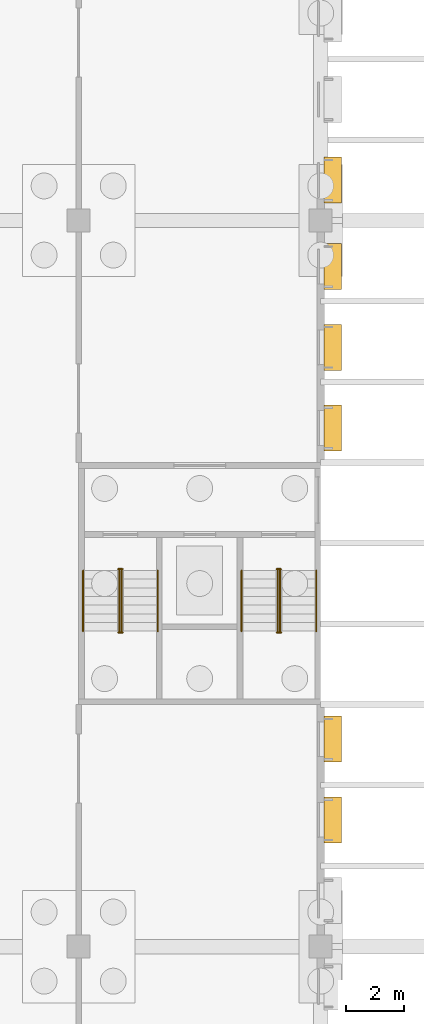
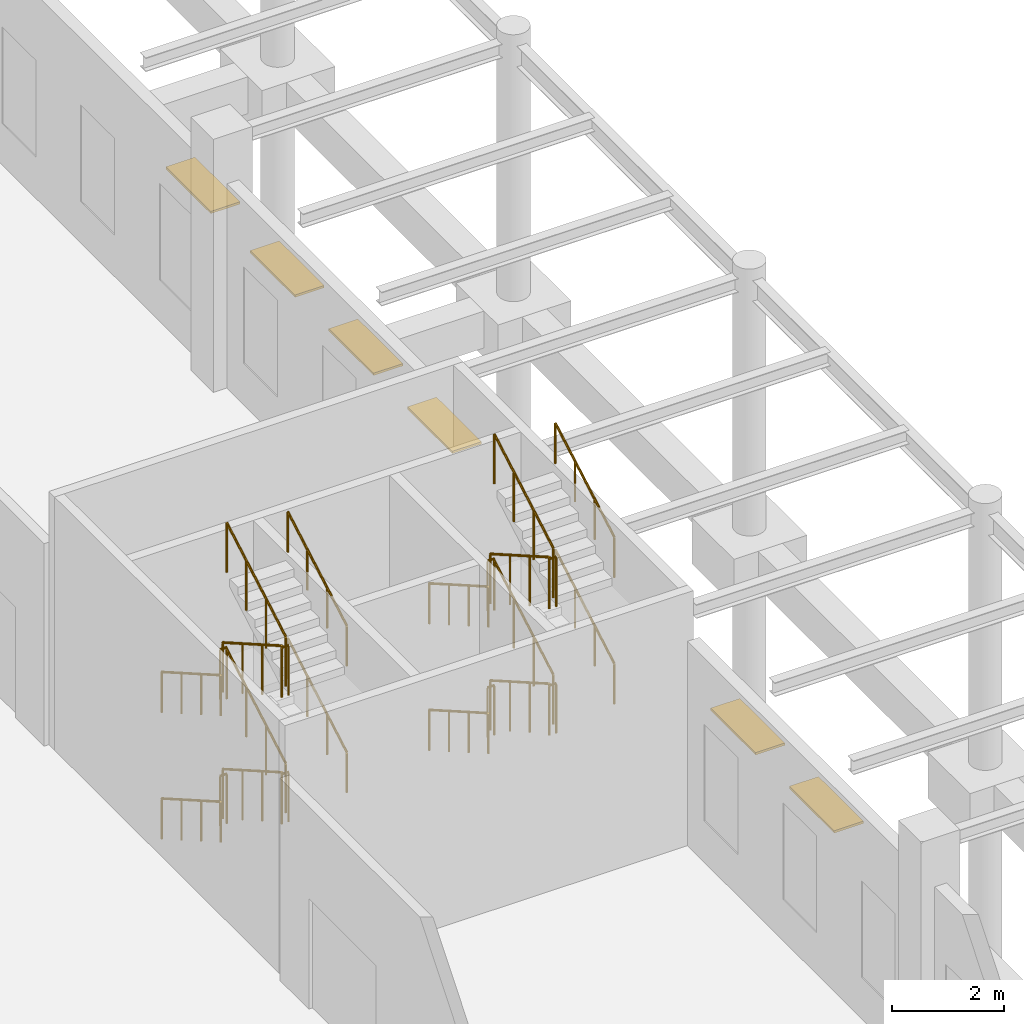
# One storey, part 79 of 82: 24 railings, 6 shading devices.
"""IFC4 building model written with IfcOpenShell, lengths in metres."""

from ifc_helpers import new_model, si_unit, direction, frame, origin, origin_2d, place, context, subcontext, project, spatial, rectangle, circle, extrude, material, material_profile, profile_set, type_object, element, save


model = new_model("IFC4")

# Units and contexts
model_context = context("Model", 3, precision=1e-05, world=origin(), true_north=direction((0.0, 1.0)))
body_context = subcontext(model_context, "Body", "Model", "MODEL_VIEW")
ifc_project = project(units=[si_unit("LENGTHUNIT", "METRE"), si_unit("AREAUNIT", "SQUARE_METRE"), si_unit("VOLUMEUNIT", "CUBIC_METRE"), si_unit("PLANEANGLEUNIT", "RADIAN"), si_unit("MASSUNIT", "GRAM", prefix="KILO")], contexts=[model_context])

# Site, building, storey
site_placement = place(None, origin())
site = spatial("IfcSite", under=ifc_project, at=site_placement, CompositionType="ELEMENT")
building_placement = place(site_placement, origin())
building = spatial("IfcBuilding", under=site, at=building_placement, Name="Almond Square Museum", CompositionType="ELEMENT")
storey_placement = place(building_placement, origin())
storey = spatial("IfcBuildingStorey", under=building, at=storey_placement, Name="L00", CompositionType="ELEMENT", Elevation=0.0)

# Railings
ifc_material_1 = material(Name="Stainless steel and laminated glass", Category="steel")
railing_type_1 = type_object("IfcRailingType", Name="Stair guard 1100 steel and glass", PredefinedType="GUARDRAIL", material=ifc_material_1)
railing_1_placement = place(storey_placement, frame((150.2099609375, 80.25, 0.171875)))
element("IfcRailing", 1, at=railing_1_placement, inside=storey, type_object=railing_type_1, Name="L00 ST-25 stair guard 1", PredefinedType="GUARDRAIL", context=body_context, shape_type="SweptSolid", body=[
    extrude(circle(Radius=0.02392578125, at=origin_2d()), frame((0.0, 0.0, 1.076171875), z_axis=(0.0, -0.867696358075, 0.497094588769), x_axis=(1.0, 0.0, 0.0)), (0.0, 0.0, 1.0), 2.42041015625),
    extrude(circle(Radius=0.02099609375, at=origin_2d()), origin(), (0.0, 0.0, 1.0), 1.052001953125),
    extrude(circle(Radius=0.02099609375, at=origin_2d()), frame((0.0, -0.699951171875, 0.401123046875)), (0.0, 0.0, 1.0), 1.052001953125),
    extrude(circle(Radius=0.02099609375, at=origin_2d()), frame((0.0, -1.400146484375, 0.802001953125)), (0.0, 0.0, 1.0), 1.052001953125),
    extrude(circle(Radius=0.02099609375, at=origin_2d()), frame((0.0, -2.10009765625, 1.203125)), (0.0, 0.0, 1.0), 1.052001953125),
])
railing_2_placement = place(storey_placement, frame((150.179931640625, 78.10009765625, 1.375)))
element("IfcRailing", 2, at=railing_2_placement, inside=storey, type_object=railing_type_1, Name="L00 ST-25 stair guard 2", PredefinedType="GUARDRAIL", context=body_context, shape_type="SweptSolid", body=[
    extrude(circle(Radius=0.02392578125, at=origin_2d()), frame((0.0, 0.0, 1.076171875), z_axis=(1.0, 0.0, 0.0), x_axis=(0.0, 1.0, 0.0)), (0.0, 0.0, 1.0), 0.14013671875),
    extrude(circle(Radius=0.02099609375, at=origin_2d()), origin(), (0.0, 0.0, 1.0), 1.052001953125),
    extrude(circle(Radius=0.02099609375, at=origin_2d()), frame((0.14013671875, 0.0, 0.0)), (0.0, 0.0, 1.0), 1.052001953125),
])
railing_3_placement = place(storey_placement, frame((150.2900390625, 78.14990234375, 1.546875)))
element("IfcRailing", 3, at=railing_3_placement, inside=storey, type_object=railing_type_1, Name="L00 ST-25 stair guard 3", PredefinedType="GUARDRAIL", context=body_context, shape_type="SweptSolid", body=[
    extrude(circle(Radius=0.02392578125, at=origin_2d()), frame((0.0, 0.0, 1.076171875), z_axis=(0.0, 0.867696358075, 0.497094588769), x_axis=(-1.0, 0.0, 0.0)), (0.0, 0.0, 1.0), 2.42041015625),
    extrude(circle(Radius=0.02099609375, at=origin_2d()), origin(), (0.0, 0.0, 1.0), 1.052001953125),
    extrude(circle(Radius=0.02099609375, at=origin_2d()), frame((0.0, 0.699951171875, 0.401123046875)), (0.0, 0.0, 1.0), 1.052001953125),
    extrude(circle(Radius=0.02099609375, at=origin_2d()), frame((0.0, 1.400146484375, 0.802001953125)), (0.0, 0.0, 1.0), 1.052001953125),
    extrude(circle(Radius=0.02099609375, at=origin_2d()), frame((0.0, 2.10009765625, 1.203125)), (0.0, 0.0, 1.0), 1.052001953125),
])
railing_4_placement = place(storey_placement, frame((150.179931640625, 80.300048828125, 2.75)))
element("IfcRailing", 4, at=railing_4_placement, inside=storey, type_object=railing_type_1, Name="L00 ST-25 stair guard 4", PredefinedType="GUARDRAIL", context=body_context, shape_type="SweptSolid", body=[
    extrude(circle(Radius=0.02392578125, at=origin_2d()), frame((0.0, 0.0, 1.076171875), z_axis=(1.0, 0.0, 0.0), x_axis=(0.0, 1.0, 0.0)), (0.0, 0.0, 1.0), 0.14013671875),
    extrude(circle(Radius=0.02099609375, at=origin_2d()), origin(), (0.0, 0.0, 1.0), 1.052001953125),
    extrude(circle(Radius=0.02099609375, at=origin_2d()), frame((0.14013671875, 0.0, 0.0)), (0.0, 0.0, 1.0), 1.052001953125),
])
railing_5_placement = place(storey_placement, frame((150.2099609375, 80.25, 2.921875)))
element("IfcRailing", 5, at=railing_5_placement, inside=storey, type_object=railing_type_1, Name="L00 ST-25 stair guard 5", PredefinedType="GUARDRAIL", context=body_context, shape_type="SweptSolid", body=[
    extrude(circle(Radius=0.02392578125, at=origin_2d()), frame((0.0, 0.0, 1.076171875), z_axis=(0.0, -0.867696358075, 0.497094588769), x_axis=(1.0, 0.0, 0.0)), (0.0, 0.0, 1.0), 2.42041015625),
    extrude(circle(Radius=0.02099609375, at=origin_2d()), origin(), (0.0, 0.0, 1.0), 1.052001953125),
    extrude(circle(Radius=0.02099609375, at=origin_2d()), frame((0.0, -0.699951171875, 0.401123046875)), (0.0, 0.0, 1.0), 1.052001953125),
    extrude(circle(Radius=0.02099609375, at=origin_2d()), frame((0.0, -1.400146484375, 0.802001953125)), (0.0, 0.0, 1.0), 1.052001953125),
    extrude(circle(Radius=0.02099609375, at=origin_2d()), frame((0.0, -2.10009765625, 1.203125)), (0.0, 0.0, 1.0), 1.052001953125),
])
railing_6_placement = place(storey_placement, frame((150.179931640625, 78.10009765625, 4.125)))
element("IfcRailing", 6, at=railing_6_placement, inside=storey, type_object=railing_type_1, Name="L00 ST-25 stair guard 6", PredefinedType="GUARDRAIL", context=body_context, shape_type="SweptSolid", body=[
    extrude(circle(Radius=0.02392578125, at=origin_2d()), frame((0.0, 0.0, 1.076171875), z_axis=(1.0, 0.0, 0.0), x_axis=(0.0, 1.0, 0.0)), (0.0, 0.0, 1.0), 0.14013671875),
    extrude(circle(Radius=0.02099609375, at=origin_2d()), origin(), (0.0, 0.0, 1.0), 1.052001953125),
    extrude(circle(Radius=0.02099609375, at=origin_2d()), frame((0.14013671875, 0.0, 0.0)), (0.0, 0.0, 1.0), 1.052001953125),
])
railing_7_placement = place(storey_placement, frame((150.2900390625, 78.14990234375, 4.296875)))
element("IfcRailing", 7, at=railing_7_placement, inside=storey, type_object=railing_type_1, Name="L00 ST-25 stair guard 7", PredefinedType="GUARDRAIL", context=body_context, shape_type="SweptSolid", body=[
    extrude(circle(Radius=0.02392578125, at=origin_2d()), frame((0.0, 0.0, 1.076171875), z_axis=(0.0, 0.867696358075, 0.497094588769), x_axis=(-1.0, 0.0, 0.0)), (0.0, 0.0, 1.0), 2.42041015625),
    extrude(circle(Radius=0.02099609375, at=origin_2d()), origin(), (0.0, 0.0, 1.0), 1.052001953125),
    extrude(circle(Radius=0.02099609375, at=origin_2d()), frame((0.0, 0.699951171875, 0.401123046875)), (0.0, 0.0, 1.0), 1.052001953125),
    extrude(circle(Radius=0.02099609375, at=origin_2d()), frame((0.0, 1.400146484375, 0.802001953125)), (0.0, 0.0, 1.0), 1.052001953125),
    extrude(circle(Radius=0.02099609375, at=origin_2d()), frame((0.0, 2.10009765625, 1.203125)), (0.0, 0.0, 1.0), 1.052001953125),
])
railing_8_placement = place(storey_placement, frame((150.179931640625, 80.300048828125, 0.0)))
element("IfcRailing", 8, at=railing_8_placement, inside=storey, type_object=railing_type_1, Name="L00 ST-25 stair guard 8", PredefinedType="GUARDRAIL", context=body_context, shape_type="SweptSolid", body=[
    extrude(circle(Radius=0.02392578125, at=origin_2d()), frame((0.0, 0.0, 1.076171875), z_axis=(1.0, 0.0, 0.0), x_axis=(0.0, 1.0, 0.0)), (0.0, 0.0, 1.0), 0.14013671875),
    extrude(circle(Radius=0.02099609375, at=origin_2d()), origin(), (0.0, 0.0, 1.0), 1.052001953125),
    extrude(circle(Radius=0.02099609375, at=origin_2d()), frame((0.14013671875, 0.0, 0.0)), (0.0, 0.0, 1.0), 1.052001953125),
])
railing_9_placement = place(storey_placement, frame((155.7099609375, 80.25, 0.171875)))
element("IfcRailing", 9, at=railing_9_placement, inside=storey, type_object=railing_type_1, Name="L00 ST-26 stair guard 1", PredefinedType="GUARDRAIL", context=body_context, shape_type="SweptSolid", body=[
    extrude(circle(Radius=0.02392578125, at=origin_2d()), frame((0.0, 0.0, 1.076171875), z_axis=(0.0, -0.867696358075, 0.497094588769), x_axis=(1.0, 0.0, 0.0)), (0.0, 0.0, 1.0), 2.42041015625),
    extrude(circle(Radius=0.02099609375, at=origin_2d()), origin(), (0.0, 0.0, 1.0), 1.052001953125),
    extrude(circle(Radius=0.02099609375, at=origin_2d()), frame((0.0, -0.699951171875, 0.401123046875)), (0.0, 0.0, 1.0), 1.052001953125),
    extrude(circle(Radius=0.02099609375, at=origin_2d()), frame((0.0, -1.400146484375, 0.802001953125)), (0.0, 0.0, 1.0), 1.052001953125),
    extrude(circle(Radius=0.02099609375, at=origin_2d()), frame((0.0, -2.10009765625, 1.203125)), (0.0, 0.0, 1.0), 1.052001953125),
])
railing_10_placement = place(storey_placement, frame((155.679931640625, 78.10009765625, 1.375)))
element("IfcRailing", 10, at=railing_10_placement, inside=storey, type_object=railing_type_1, Name="L00 ST-26 stair guard 2", PredefinedType="GUARDRAIL", context=body_context, shape_type="SweptSolid", body=[
    extrude(circle(Radius=0.02392578125, at=origin_2d()), frame((0.0, 0.0, 1.076171875), z_axis=(1.0, 0.0, 0.0), x_axis=(0.0, 1.0, 0.0)), (0.0, 0.0, 1.0), 0.14013671875),
    extrude(circle(Radius=0.02099609375, at=origin_2d()), origin(), (0.0, 0.0, 1.0), 1.052001953125),
    extrude(circle(Radius=0.02099609375, at=origin_2d()), frame((0.14013671875, 0.0, 0.0)), (0.0, 0.0, 1.0), 1.052001953125),
])
railing_11_placement = place(storey_placement, frame((155.7900390625, 78.14990234375, 1.546875)))
element("IfcRailing", 11, at=railing_11_placement, inside=storey, type_object=railing_type_1, Name="L00 ST-26 stair guard 3", PredefinedType="GUARDRAIL", context=body_context, shape_type="SweptSolid", body=[
    extrude(circle(Radius=0.02392578125, at=origin_2d()), frame((0.0, 0.0, 1.076171875), z_axis=(0.0, 0.867696358075, 0.497094588769), x_axis=(-1.0, 0.0, 0.0)), (0.0, 0.0, 1.0), 2.42041015625),
    extrude(circle(Radius=0.02099609375, at=origin_2d()), origin(), (0.0, 0.0, 1.0), 1.052001953125),
    extrude(circle(Radius=0.02099609375, at=origin_2d()), frame((0.0, 0.699951171875, 0.401123046875)), (0.0, 0.0, 1.0), 1.052001953125),
    extrude(circle(Radius=0.02099609375, at=origin_2d()), frame((0.0, 1.400146484375, 0.802001953125)), (0.0, 0.0, 1.0), 1.052001953125),
    extrude(circle(Radius=0.02099609375, at=origin_2d()), frame((0.0, 2.10009765625, 1.203125)), (0.0, 0.0, 1.0), 1.052001953125),
])
railing_12_placement = place(storey_placement, frame((155.679931640625, 80.300048828125, 2.75)))
element("IfcRailing", 12, at=railing_12_placement, inside=storey, type_object=railing_type_1, Name="L00 ST-26 stair guard 4", PredefinedType="GUARDRAIL", context=body_context, shape_type="SweptSolid", body=[
    extrude(circle(Radius=0.02392578125, at=origin_2d()), frame((0.0, 0.0, 1.076171875), z_axis=(1.0, 0.0, 0.0), x_axis=(0.0, 1.0, 0.0)), (0.0, 0.0, 1.0), 0.14013671875),
    extrude(circle(Radius=0.02099609375, at=origin_2d()), origin(), (0.0, 0.0, 1.0), 1.052001953125),
    extrude(circle(Radius=0.02099609375, at=origin_2d()), frame((0.14013671875, 0.0, 0.0)), (0.0, 0.0, 1.0), 1.052001953125),
])
railing_13_placement = place(storey_placement, frame((155.7099609375, 80.25, 2.921875)))
element("IfcRailing", 13, at=railing_13_placement, inside=storey, type_object=railing_type_1, Name="L00 ST-26 stair guard 5", PredefinedType="GUARDRAIL", context=body_context, shape_type="SweptSolid", body=[
    extrude(circle(Radius=0.02392578125, at=origin_2d()), frame((0.0, 0.0, 1.076171875), z_axis=(0.0, -0.867696358075, 0.497094588769), x_axis=(1.0, 0.0, 0.0)), (0.0, 0.0, 1.0), 2.42041015625),
    extrude(circle(Radius=0.02099609375, at=origin_2d()), origin(), (0.0, 0.0, 1.0), 1.052001953125),
    extrude(circle(Radius=0.02099609375, at=origin_2d()), frame((0.0, -0.699951171875, 0.401123046875)), (0.0, 0.0, 1.0), 1.052001953125),
    extrude(circle(Radius=0.02099609375, at=origin_2d()), frame((0.0, -1.400146484375, 0.802001953125)), (0.0, 0.0, 1.0), 1.052001953125),
    extrude(circle(Radius=0.02099609375, at=origin_2d()), frame((0.0, -2.10009765625, 1.203125)), (0.0, 0.0, 1.0), 1.052001953125),
])
railing_14_placement = place(storey_placement, frame((155.679931640625, 78.10009765625, 4.125)))
element("IfcRailing", 14, at=railing_14_placement, inside=storey, type_object=railing_type_1, Name="L00 ST-26 stair guard 6", PredefinedType="GUARDRAIL", context=body_context, shape_type="SweptSolid", body=[
    extrude(circle(Radius=0.02392578125, at=origin_2d()), frame((0.0, 0.0, 1.076171875), z_axis=(1.0, 0.0, 0.0), x_axis=(0.0, 1.0, 0.0)), (0.0, 0.0, 1.0), 0.14013671875),
    extrude(circle(Radius=0.02099609375, at=origin_2d()), origin(), (0.0, 0.0, 1.0), 1.052001953125),
    extrude(circle(Radius=0.02099609375, at=origin_2d()), frame((0.14013671875, 0.0, 0.0)), (0.0, 0.0, 1.0), 1.052001953125),
])
railing_15_placement = place(storey_placement, frame((155.7900390625, 78.14990234375, 4.296875)))
element("IfcRailing", 15, at=railing_15_placement, inside=storey, type_object=railing_type_1, Name="L00 ST-26 stair guard 7", PredefinedType="GUARDRAIL", context=body_context, shape_type="SweptSolid", body=[
    extrude(circle(Radius=0.02392578125, at=origin_2d()), frame((0.0, 0.0, 1.076171875), z_axis=(0.0, 0.867696358075, 0.497094588769), x_axis=(-1.0, 0.0, 0.0)), (0.0, 0.0, 1.0), 2.42041015625),
    extrude(circle(Radius=0.02099609375, at=origin_2d()), origin(), (0.0, 0.0, 1.0), 1.052001953125),
    extrude(circle(Radius=0.02099609375, at=origin_2d()), frame((0.0, 0.699951171875, 0.401123046875)), (0.0, 0.0, 1.0), 1.052001953125),
    extrude(circle(Radius=0.02099609375, at=origin_2d()), frame((0.0, 1.400146484375, 0.802001953125)), (0.0, 0.0, 1.0), 1.052001953125),
    extrude(circle(Radius=0.02099609375, at=origin_2d()), frame((0.0, 2.10009765625, 1.203125)), (0.0, 0.0, 1.0), 1.052001953125),
])
railing_16_placement = place(storey_placement, frame((155.679931640625, 80.300048828125, 0.0)))
element("IfcRailing", 16, at=railing_16_placement, inside=storey, type_object=railing_type_1, Name="L00 ST-26 stair guard 8", PredefinedType="GUARDRAIL", context=body_context, shape_type="SweptSolid", body=[
    extrude(circle(Radius=0.02392578125, at=origin_2d()), frame((0.0, 0.0, 1.076171875), z_axis=(1.0, 0.0, 0.0), x_axis=(0.0, 1.0, 0.0)), (0.0, 0.0, 1.0), 0.14013671875),
    extrude(circle(Radius=0.02099609375, at=origin_2d()), origin(), (0.0, 0.0, 1.0), 1.052001953125),
    extrude(circle(Radius=0.02099609375, at=origin_2d()), frame((0.14013671875, 0.0, 0.0)), (0.0, 0.0, 1.0), 1.052001953125),
])
ifc_material_2 = material(Name="Stainless steel", Category="steel")
railing_type_2 = type_object("IfcRailingType", Name="Stair handrail 900 steel", PredefinedType="HANDRAIL", material=ifc_material_2)
railing_17_placement = place(storey_placement, frame((148.955078125, 80.25, 0.171875)))
element("IfcRailing", 17, at=railing_17_placement, inside=storey, type_object=railing_type_2, Name="L00 ST-25 stair handrail 1", PredefinedType="HANDRAIL", context=body_context, shape_type="SweptSolid", body=[
    extrude(circle(Radius=0.02392578125, at=origin_2d()), frame((0.0, 0.0, 0.8759765625), z_axis=(0.0, -0.867696358075, 0.497094588769), x_axis=(1.0, 0.0, 0.0)), (0.0, 0.0, 1.0), 2.42041015625),
    extrude(circle(Radius=0.02099609375, at=origin_2d()), origin(), (0.0, 0.0, 1.0), 0.851806640625),
    extrude(circle(Radius=0.02099609375, at=origin_2d()), frame((0.0, -0.699951171875, 0.401123046875)), (0.0, 0.0, 1.0), 0.851806640625),
    extrude(circle(Radius=0.02099609375, at=origin_2d()), frame((0.0, -1.400146484375, 0.802001953125)), (0.0, 0.0, 1.0), 0.851806640625),
    extrude(circle(Radius=0.02099609375, at=origin_2d()), frame((0.0, -2.10009765625, 1.203125)), (0.0, 0.0, 1.0), 0.851806640625),
])
railing_18_placement = place(storey_placement, frame((151.544921875, 78.14990234375, 1.546875)))
element("IfcRailing", 18, at=railing_18_placement, inside=storey, type_object=railing_type_2, Name="L00 ST-25 stair handrail 2", PredefinedType="HANDRAIL", context=body_context, shape_type="SweptSolid", body=[
    extrude(circle(Radius=0.02392578125, at=origin_2d()), frame((0.0, 0.0, 0.8759765625), z_axis=(0.0, 0.867696358075, 0.497094588769), x_axis=(-1.0, 0.0, 0.0)), (0.0, 0.0, 1.0), 2.42041015625),
    extrude(circle(Radius=0.02099609375, at=origin_2d()), origin(), (0.0, 0.0, 1.0), 0.851806640625),
    extrude(circle(Radius=0.02099609375, at=origin_2d()), frame((0.0, 0.699951171875, 0.401123046875)), (0.0, 0.0, 1.0), 0.851806640625),
    extrude(circle(Radius=0.02099609375, at=origin_2d()), frame((0.0, 1.400146484375, 0.802001953125)), (0.0, 0.0, 1.0), 0.851806640625),
    extrude(circle(Radius=0.02099609375, at=origin_2d()), frame((0.0, 2.10009765625, 1.203125)), (0.0, 0.0, 1.0), 0.851806640625),
])
railing_19_placement = place(storey_placement, frame((148.955078125, 80.25, 2.921875)))
element("IfcRailing", 19, at=railing_19_placement, inside=storey, type_object=railing_type_2, Name="L00 ST-25 stair handrail 3", PredefinedType="HANDRAIL", context=body_context, shape_type="SweptSolid", body=[
    extrude(circle(Radius=0.02392578125, at=origin_2d()), frame((0.0, 0.0, 0.8759765625), z_axis=(0.0, -0.867696358075, 0.497094588769), x_axis=(1.0, 0.0, 0.0)), (0.0, 0.0, 1.0), 2.42041015625),
    extrude(circle(Radius=0.02099609375, at=origin_2d()), origin(), (0.0, 0.0, 1.0), 0.851806640625),
    extrude(circle(Radius=0.02099609375, at=origin_2d()), frame((0.0, -0.699951171875, 0.401123046875)), (0.0, 0.0, 1.0), 0.851806640625),
    extrude(circle(Radius=0.02099609375, at=origin_2d()), frame((0.0, -1.400146484375, 0.802001953125)), (0.0, 0.0, 1.0), 0.851806640625),
    extrude(circle(Radius=0.02099609375, at=origin_2d()), frame((0.0, -2.10009765625, 1.203125)), (0.0, 0.0, 1.0), 0.851806640625),
])
railing_20_placement = place(storey_placement, frame((151.544921875, 78.14990234375, 4.296875)))
element("IfcRailing", 20, at=railing_20_placement, inside=storey, type_object=railing_type_2, Name="L00 ST-25 stair handrail 4", PredefinedType="HANDRAIL", context=body_context, shape_type="SweptSolid", body=[
    extrude(circle(Radius=0.02392578125, at=origin_2d()), frame((0.0, 0.0, 0.8759765625), z_axis=(0.0, 0.867696358075, 0.497094588769), x_axis=(-1.0, 0.0, 0.0)), (0.0, 0.0, 1.0), 2.42041015625),
    extrude(circle(Radius=0.02099609375, at=origin_2d()), origin(), (0.0, 0.0, 1.0), 0.851806640625),
    extrude(circle(Radius=0.02099609375, at=origin_2d()), frame((0.0, 0.699951171875, 0.401123046875)), (0.0, 0.0, 1.0), 0.851806640625),
    extrude(circle(Radius=0.02099609375, at=origin_2d()), frame((0.0, 1.400146484375, 0.802001953125)), (0.0, 0.0, 1.0), 0.851806640625),
    extrude(circle(Radius=0.02099609375, at=origin_2d()), frame((0.0, 2.10009765625, 1.203125)), (0.0, 0.0, 1.0), 0.851806640625),
])
railing_21_placement = place(storey_placement, frame((154.455078125, 80.25, 0.171875)))
element("IfcRailing", 21, at=railing_21_placement, inside=storey, type_object=railing_type_2, Name="L00 ST-26 stair handrail 1", PredefinedType="HANDRAIL", context=body_context, shape_type="SweptSolid", body=[
    extrude(circle(Radius=0.02392578125, at=origin_2d()), frame((0.0, 0.0, 0.8759765625), z_axis=(0.0, -0.867696358075, 0.497094588769), x_axis=(1.0, 0.0, 0.0)), (0.0, 0.0, 1.0), 2.42041015625),
    extrude(circle(Radius=0.02099609375, at=origin_2d()), origin(), (0.0, 0.0, 1.0), 0.851806640625),
    extrude(circle(Radius=0.02099609375, at=origin_2d()), frame((0.0, -0.699951171875, 0.401123046875)), (0.0, 0.0, 1.0), 0.851806640625),
    extrude(circle(Radius=0.02099609375, at=origin_2d()), frame((0.0, -1.400146484375, 0.802001953125)), (0.0, 0.0, 1.0), 0.851806640625),
    extrude(circle(Radius=0.02099609375, at=origin_2d()), frame((0.0, -2.10009765625, 1.203125)), (0.0, 0.0, 1.0), 0.851806640625),
])
railing_22_placement = place(storey_placement, frame((157.044921875, 78.14990234375, 1.546875)))
element("IfcRailing", 22, at=railing_22_placement, inside=storey, type_object=railing_type_2, Name="L00 ST-26 stair handrail 2", PredefinedType="HANDRAIL", context=body_context, shape_type="SweptSolid", body=[
    extrude(circle(Radius=0.02392578125, at=origin_2d()), frame((0.0, 0.0, 0.8759765625), z_axis=(0.0, 0.867696358075, 0.497094588769), x_axis=(-1.0, 0.0, 0.0)), (0.0, 0.0, 1.0), 2.42041015625),
    extrude(circle(Radius=0.02099609375, at=origin_2d()), origin(), (0.0, 0.0, 1.0), 0.851806640625),
    extrude(circle(Radius=0.02099609375, at=origin_2d()), frame((0.0, 0.699951171875, 0.401123046875)), (0.0, 0.0, 1.0), 0.851806640625),
    extrude(circle(Radius=0.02099609375, at=origin_2d()), frame((0.0, 1.400146484375, 0.802001953125)), (0.0, 0.0, 1.0), 0.851806640625),
    extrude(circle(Radius=0.02099609375, at=origin_2d()), frame((0.0, 2.10009765625, 1.203125)), (0.0, 0.0, 1.0), 0.851806640625),
])
railing_23_placement = place(storey_placement, frame((154.455078125, 80.25, 2.921875)))
element("IfcRailing", 23, at=railing_23_placement, inside=storey, type_object=railing_type_2, Name="L00 ST-26 stair handrail 3", PredefinedType="HANDRAIL", context=body_context, shape_type="SweptSolid", body=[
    extrude(circle(Radius=0.02392578125, at=origin_2d()), frame((0.0, 0.0, 0.8759765625), z_axis=(0.0, -0.867696358075, 0.497094588769), x_axis=(1.0, 0.0, 0.0)), (0.0, 0.0, 1.0), 2.42041015625),
    extrude(circle(Radius=0.02099609375, at=origin_2d()), origin(), (0.0, 0.0, 1.0), 0.851806640625),
    extrude(circle(Radius=0.02099609375, at=origin_2d()), frame((0.0, -0.699951171875, 0.401123046875)), (0.0, 0.0, 1.0), 0.851806640625),
    extrude(circle(Radius=0.02099609375, at=origin_2d()), frame((0.0, -1.400146484375, 0.802001953125)), (0.0, 0.0, 1.0), 0.851806640625),
    extrude(circle(Radius=0.02099609375, at=origin_2d()), frame((0.0, -2.10009765625, 1.203125)), (0.0, 0.0, 1.0), 0.851806640625),
])
railing_24_placement = place(storey_placement, frame((157.044921875, 78.14990234375, 4.296875)))
element("IfcRailing", 24, at=railing_24_placement, inside=storey, type_object=railing_type_2, Name="L00 ST-26 stair handrail 4", PredefinedType="HANDRAIL", context=body_context, shape_type="SweptSolid", body=[
    extrude(circle(Radius=0.02392578125, at=origin_2d()), frame((0.0, 0.0, 0.8759765625), z_axis=(0.0, 0.867696358075, 0.497094588769), x_axis=(-1.0, 0.0, 0.0)), (0.0, 0.0, 1.0), 2.42041015625),
    extrude(circle(Radius=0.02099609375, at=origin_2d()), origin(), (0.0, 0.0, 1.0), 0.851806640625),
    extrude(circle(Radius=0.02099609375, at=origin_2d()), frame((0.0, 0.699951171875, 0.401123046875)), (0.0, 0.0, 1.0), 0.851806640625),
    extrude(circle(Radius=0.02099609375, at=origin_2d()), frame((0.0, 1.400146484375, 0.802001953125)), (0.0, 0.0, 1.0), 0.851806640625),
    extrude(circle(Radius=0.02099609375, at=origin_2d()), frame((0.0, 2.10009765625, 1.203125)), (0.0, 0.0, 1.0), 0.851806640625),
])

# Shading devices
ifc_material_3 = material(Name="Anodised aluminium", Category="aluminium")
ifc_material_profile = material_profile(ifc_material_3, rectangle(XDim=0.60009765625, YDim=0.050048828125, at=origin_2d()))
ifc_profile_set = profile_set([ifc_material_profile], Name="Anodised aluminium")
shading_device_type = type_object("IfcShadingDeviceType", Name="Sun-shade blade 600 x 50", PredefinedType="USERDEFINED", material=ifc_profile_set)
for number, where, z_axis, x_axis, name in (
    (25, (157.623046875, 70.800048828125, 3.1201171875), (0.0, 1.0, 0.0), (-1.0, 0.0, 0.0), "Sun-shade blade"),
    (26, (157.623046875, 73.60009765625, 3.1201171875), (0.0, 1.0, 0.0), (-1.0, 0.0, 0.0), "Sun-shade blade"),
):
    element("IfcShadingDevice", number, at=place(storey_placement, frame(where, z_axis=z_axis, x_axis=x_axis)), inside=storey, type_object=shading_device_type, Name=name, ObjectType="LOUVRE", PredefinedType="USERDEFINED", context=body_context, shape_type="SweptSolid", body=[
        extrude(rectangle(XDim=0.60009765625, YDim=0.050048828125, at=origin_2d()), origin(), (0.0, 0.0, 1.0), 1.599853515625),
    ])
for number, where, z_axis, x_axis, name in (
    (27, (157.623046875, 84.39990234375, 3.1201171875), (0.0, 1.0, 0.0), (-1.0, 0.0, 0.0), "Sun-shade blade"),
    (28, (157.623046875, 87.199951171875, 3.1201171875), (0.0, 1.0, 0.0), (-1.0, 0.0, 0.0), "Sun-shade blade"),
    (29, (157.623046875, 90.0, 3.1201171875), (0.0, 1.0, 0.0), (-1.0, 0.0, 0.0), "Sun-shade blade"),
    (30, (157.623046875, 93.0, 3.1201171875), (0.0, 1.0, 0.0), (-1.0, 0.0, 0.0), "Sun-shade blade"),
):
    element("IfcShadingDevice", number, at=place(storey_placement, frame(where, z_axis=z_axis, x_axis=x_axis)), inside=storey, type_object=shading_device_type, Name=name, ObjectType="LOUVRE", PredefinedType="USERDEFINED", context=body_context, shape_type="SweptSolid", body=[
        extrude(rectangle(XDim=0.60009765625, YDim=0.050048828125, at=origin_2d()), origin(), (0.0, 0.0, 1.0), 1.60009765625),
    ])

save(model, "model.ifc")
